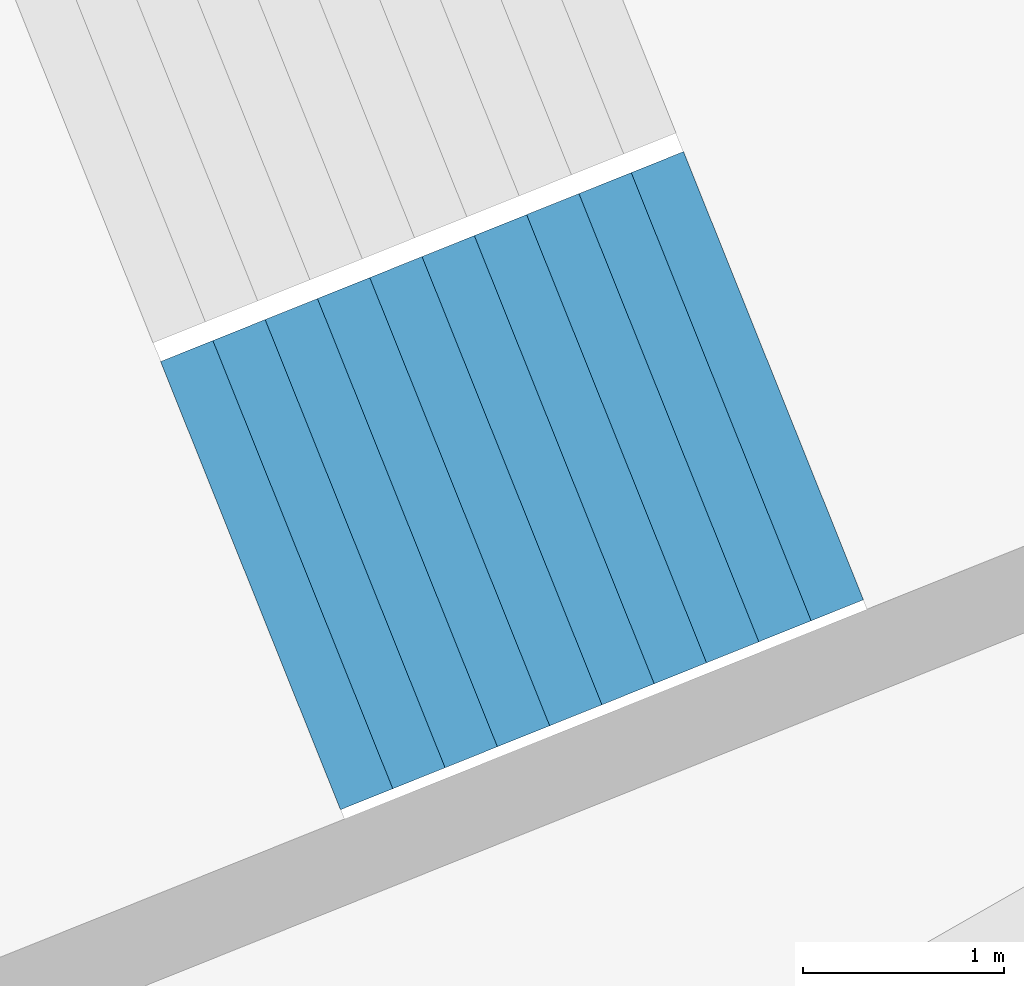
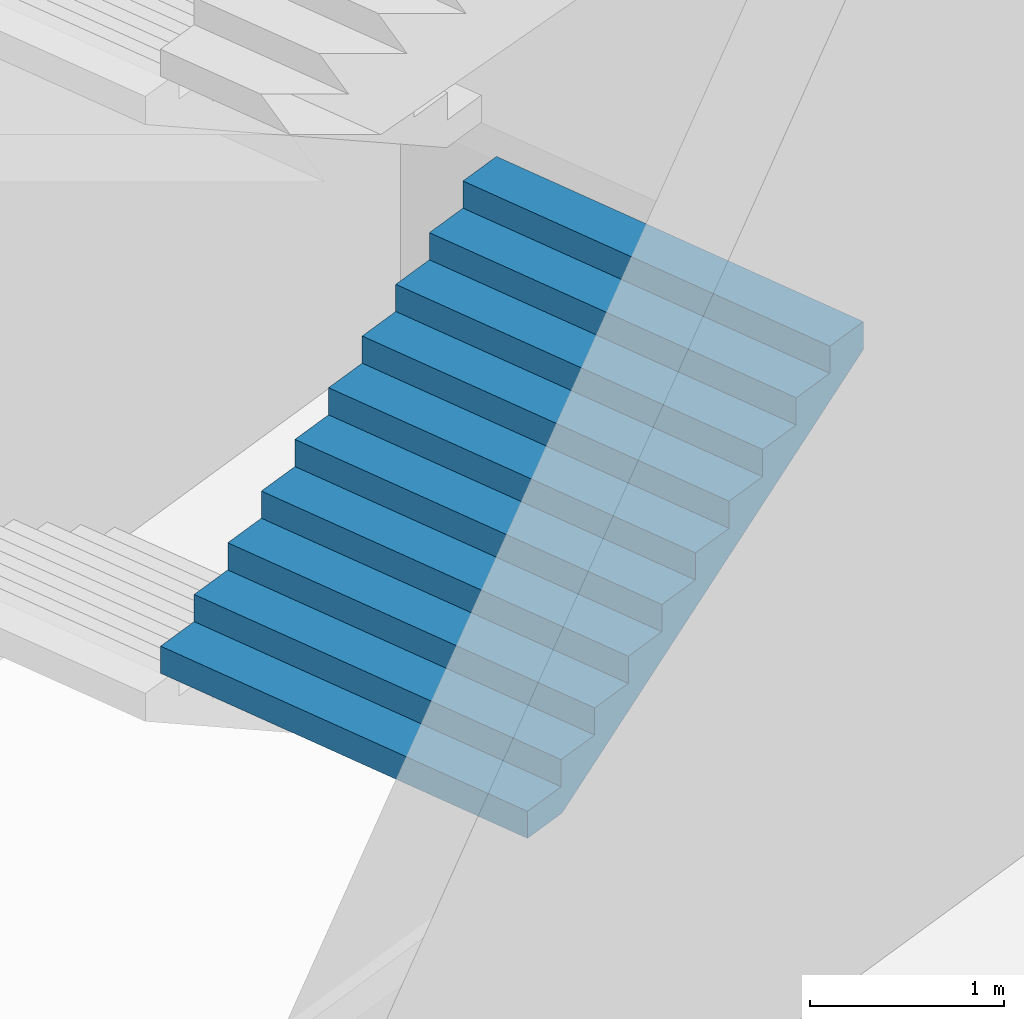
# One storey, part 18 of 73: 1 stair flight, 1 element without a shape of its own.
"""IFC4 building model written with IfcOpenShell, lengths in metres."""

from ifc_helpers import new_model, si_unit, direction, frame, origin, place, context, subcontext, project, spatial, triangles, material, type_object, element, aggregate, save


model = new_model("IFC4")

# Units and contexts
model_context = context("Model", 3, precision=1e-05, world=origin(), true_north=direction((0.0, 1.0)))
body_context = subcontext(model_context, "Body", "Model", "MODEL_VIEW")
ifc_project = project(units=[si_unit("LENGTHUNIT", "METRE"), si_unit("AREAUNIT", "SQUARE_METRE"), si_unit("VOLUMEUNIT", "CUBIC_METRE"), si_unit("PLANEANGLEUNIT", "RADIAN"), si_unit("MASSUNIT", "GRAM", prefix="KILO")], contexts=[model_context])

# Site, building, storey
site_placement = place(None, origin())
site = spatial("IfcSite", under=ifc_project, at=site_placement, CompositionType="ELEMENT")
building_placement = place(site_placement, origin())
building = spatial("IfcBuilding", under=site, at=building_placement, Name="Lantaw Convention Tower", CompositionType="ELEMENT")
storey_placement = place(building_placement, frame((0.0, 0.0, 14.5)))
storey = spatial("IfcBuildingStorey", under=building, at=storey_placement, Name="L02", CompositionType="ELEMENT", Elevation=14.5)

# Stair, stair flight
ifc_material = material(Name="Concrete C35/45", Category="concrete")
stair_type = type_object("IfcStairType", Name="Exit stair 2400 riser 170.45 in 4 flights", PredefinedType="HALF_TURN_STAIR", material=ifc_material)
stair_placement = place(storey_placement, origin())
stair = element("IfcStair", 1, at=stair_placement, inside=storey, type_object=stair_type, Name="Podium exit stair P11 L02", PredefinedType="HALF_TURN_STAIR")
stair_flight_type = type_object("IfcStairFlightType", Name="Stair flight 2400 riser 170.45", PredefinedType="STRAIGHT", material=ifc_material)
stair_flight_placement = place(storey_placement, frame((-31.684814453125, -14.06640625, 1.875), z_axis=(0.0, 0.0, 1.0), x_axis=(0.928015168305, 0.372542410198, 0.0)))
stair_flight = element("IfcStairFlight", 2, at=stair_flight_placement, type_object=stair_flight_type, Name="P11 flight 2", NumberOfRisers=11, NumberOfTreads=10, PredefinedType="STRAIGHT", RiserHeight=0.170454545, TreadLength=0.28, context=body_context, shape_type="Tessellation", body=[
    triangles([(0.0, 1.199951171875, 0.0), (0.0, 1.199951171875, 0.170454545), (0.28, 1.199951171875, 0.0), (0.28, 1.199951171875, 0.170454545), (0.28, 1.199951171875, 0.34090909), (0.28827876332691904, 1.199951171875, 0.0), (0.28827876332691904, 1.199951171875, 0.34090909), (0.56, 1.199951171875, 0.16541471344266906), (0.56, 1.199951171875, 0.34090909), (0.56, 1.199951171875, 0.511363635), (0.8400000000000001, 1.199951171875, 0.335869258442669), (0.8400000000000001, 1.199951171875, 0.511363635), (0.8400000000000001, 1.199951171875, 0.68181818), (1.12, 1.199951171875, 0.506323803442669), (1.12, 1.199951171875, 0.68181818), (1.12, 1.199951171875, 0.8522727250000001), (1.4000000000000001, 1.199951171875, 0.676778348442669), (1.4000000000000001, 1.199951171875, 0.8522727250000001), (1.4000000000000001, 1.199951171875, 1.02272727), (1.6800000000000002, 1.199951171875, 0.847232893442669), (1.6800000000000002, 1.199951171875, 1.02272727), (1.6800000000000002, 1.199951171875, 1.193181815), (1.9600000000000002, 1.199951171875, 1.017687438442669), (1.9600000000000002, 1.199951171875, 1.193181815), (1.9600000000000002, 1.199951171875, 1.36363636), (2.24, 1.199951171875, 1.188141983442669), (2.24, 1.199951171875, 1.36363636), (2.24, 1.199951171875, 1.5340909050000002), (2.5200000000000005, 1.199951171875, 1.358596528442669), (2.5200000000000005, 1.199951171875, 1.5340909050000002), (2.5200000000000005, 1.199951171875, 1.7045454500000001), (2.8000000000000003, 1.199951171875, 1.529051073442669), (2.8000000000000003, 1.199951171875, 1.7045454500000001), (0.0, -1.199951171875, 0.0), (0.0, -1.199951171875, 0.170454545), (0.28, -1.199951171875, 0.0), (0.28, -1.199951171875, 0.170454545), (0.28, -1.199951171875, 0.34090909), (0.28827876332691904, -1.199951171875, 0.0), (0.28827876332691904, -1.199951171875, 0.34090909), (0.56, -1.199951171875, 0.16541471344266906), (0.56, -1.199951171875, 0.34090909), (0.56, -1.199951171875, 0.511363635), (0.8400000000000001, -1.199951171875, 0.335869258442669), (0.8400000000000001, -1.199951171875, 0.511363635), (0.8400000000000001, -1.199951171875, 0.68181818), (1.12, -1.199951171875, 0.506323803442669), (1.12, -1.199951171875, 0.68181818), (1.12, -1.199951171875, 0.8522727250000001), (1.4000000000000001, -1.199951171875, 0.676778348442669), (1.4000000000000001, -1.199951171875, 0.8522727250000001), (1.4000000000000001, -1.199951171875, 1.02272727), (1.6800000000000002, -1.199951171875, 0.847232893442669), (1.6800000000000002, -1.199951171875, 1.02272727), (1.6800000000000002, -1.199951171875, 1.193181815), (1.9600000000000002, -1.199951171875, 1.017687438442669), (1.9600000000000002, -1.199951171875, 1.193181815), (1.9600000000000002, -1.199951171875, 1.36363636), (2.24, -1.199951171875, 1.188141983442669), (2.24, -1.199951171875, 1.36363636), (2.24, -1.199951171875, 1.5340909050000002), (2.5200000000000005, -1.199951171875, 1.358596528442669), (2.5200000000000005, -1.199951171875, 1.5340909050000002), (2.5200000000000005, -1.199951171875, 1.7045454500000001), (2.8000000000000003, -1.199951171875, 1.529051073442669), (2.8000000000000003, -1.199951171875, 1.7045454500000001), (0.0, 0.239990234375, 0.170454545), (0.0, 0.239990234375, 0.0), (0.0, 0.1199951171875, 0.170454545), (0.0, 0.1199951171875, 0.0), (0.0, 0.0, 0.170454545), (0.0, 0.0, 0.0), (0.0, -0.1199951171875, 0.170454545), (0.0, -0.1199951171875, 0.0), (0.0, -0.239990234375, 0.170454545), (0.0, -0.239990234375, 0.0), (0.28, 0.239990234375, 0.34090909), (0.28, 0.239990234375, 0.170454545), (0.28, 0.1199951171875, 0.34090909), (0.28, 0.1199951171875, 0.170454545), (0.28, 0.0, 0.34090909), (0.28, 0.0, 0.170454545), (0.28, -0.1199951171875, 0.34090909), (0.28, -0.1199951171875, 0.170454545), (0.28, -0.239990234375, 0.34090909), (0.28, -0.239990234375, 0.170454545), (0.56, 0.239990234375, 0.511363635), (0.56, 0.239990234375, 0.34090909), (0.56, 0.1199951171875, 0.511363635), (0.56, 0.1199951171875, 0.34090909), (0.56, 0.0, 0.511363635), (0.56, 0.0, 0.34090909), (0.56, -0.1199951171875, 0.511363635), (0.56, -0.1199951171875, 0.34090909), (0.56, -0.239990234375, 0.511363635), (0.56, -0.239990234375, 0.34090909), (0.8400000000000001, 0.239990234375, 0.68181818), (0.8400000000000001, 0.239990234375, 0.511363635), (0.8400000000000001, 0.1199951171875, 0.68181818), (0.8400000000000001, 0.1199951171875, 0.511363635), (0.8400000000000001, 0.0, 0.68181818), (0.8400000000000001, 0.0, 0.511363635), (0.8400000000000001, -0.1199951171875, 0.68181818), (0.8400000000000001, -0.1199951171875, 0.511363635), (0.8400000000000001, -0.239990234375, 0.68181818), (0.8400000000000001, -0.239990234375, 0.511363635), (1.12, 0.239990234375, 0.8522727250000001), (1.12, 0.239990234375, 0.68181818), (1.12, 0.1199951171875, 0.8522727250000001), (1.12, 0.1199951171875, 0.68181818), (1.12, 0.0, 0.8522727250000001), (1.12, 0.0, 0.68181818), (1.12, -0.1199951171875, 0.8522727250000001), (1.12, -0.1199951171875, 0.68181818), (1.12, -0.239990234375, 0.8522727250000001), (1.12, -0.239990234375, 0.68181818), (1.4000000000000001, 0.239990234375, 1.02272727), (1.4000000000000001, 0.239990234375, 0.8522727250000001), (1.4000000000000001, 0.1199951171875, 1.02272727), (1.4000000000000001, 0.1199951171875, 0.8522727250000001), (1.4000000000000001, 0.0, 1.02272727), (1.4000000000000001, 0.0, 0.8522727250000001), (1.4000000000000001, -0.1199951171875, 1.02272727), (1.4000000000000001, -0.1199951171875, 0.8522727250000001), (1.4000000000000001, -0.239990234375, 1.02272727), (1.4000000000000001, -0.239990234375, 0.8522727250000001), (1.6800000000000002, 0.239990234375, 1.193181815), (1.6800000000000002, 0.239990234375, 1.02272727), (1.6800000000000002, 0.1199951171875, 1.193181815), (1.6800000000000002, 0.1199951171875, 1.02272727), (1.6800000000000002, 0.0, 1.193181815), (1.6800000000000002, 0.0, 1.02272727), (1.6800000000000002, -0.1199951171875, 1.193181815), (1.6800000000000002, -0.1199951171875, 1.02272727), (1.6800000000000002, -0.239990234375, 1.193181815), (1.6800000000000002, -0.239990234375, 1.02272727), (1.9600000000000002, 0.239990234375, 1.36363636), (1.9600000000000002, 0.239990234375, 1.193181815), (1.9600000000000002, 0.1199951171875, 1.36363636), (1.9600000000000002, 0.1199951171875, 1.193181815), (1.9600000000000002, 0.0, 1.36363636), (1.9600000000000002, 0.0, 1.193181815), (1.9600000000000002, -0.1199951171875, 1.36363636), (1.9600000000000002, -0.1199951171875, 1.193181815), (1.9600000000000002, -0.239990234375, 1.36363636), (1.9600000000000002, -0.239990234375, 1.193181815), (2.24, 0.239990234375, 1.5340909050000002), (2.24, 0.239990234375, 1.36363636), (2.24, 0.1199951171875, 1.5340909050000002), (2.24, 0.1199951171875, 1.36363636), (2.24, 0.0, 1.5340909050000002), (2.24, 0.0, 1.36363636), (2.24, -0.1199951171875, 1.5340909050000002), (2.24, -0.1199951171875, 1.36363636), (2.24, -0.239990234375, 1.5340909050000002), (2.24, -0.239990234375, 1.36363636), (2.5200000000000005, 0.239990234375, 1.7045454500000001), (2.5200000000000005, 0.239990234375, 1.5340909050000002), (2.5200000000000005, 0.1199951171875, 1.7045454500000001), (2.5200000000000005, 0.1199951171875, 1.5340909050000002), (2.5200000000000005, 0.0, 1.7045454500000001), (2.5200000000000005, 0.0, 1.5340909050000002), (2.5200000000000005, -0.1199951171875, 1.7045454500000001), (2.5200000000000005, -0.1199951171875, 1.5340909050000002), (2.5200000000000005, -0.239990234375, 1.7045454500000001), (2.5200000000000005, -0.239990234375, 1.5340909050000002), (0.28827876332691904, 0.239990234375, 0.34090909), (0.28827876332691904, 0.1199951171875, 0.34090909), (0.28827876332691904, 0.0, 0.34090909), (0.28827876332691904, -0.1199951171875, 0.34090909), (0.28827876332691904, -0.239990234375, 0.34090909), (2.8000000000000003, 0.239990234375, 1.7045454500000001), (2.8000000000000003, 0.1199951171875, 1.7045454500000001), (2.8000000000000003, 0.0, 1.7045454500000001), (2.8000000000000003, -0.1199951171875, 1.7045454500000001), (2.8000000000000003, -0.239990234375, 1.7045454500000001), (2.8000000000000003, 0.239990234375, 1.5290510734426692), (2.8000000000000003, 0.1199951171875, 1.5290510734426692), (2.8000000000000003, 0.0, 1.5290510734426692), (2.8000000000000003, -0.1199951171875, 1.5290510734426692), (2.8000000000000003, -0.239990234375, 1.5290510734426692), (2.5200000000000005, 0.239990234375, 1.358596528442669), (2.5200000000000005, 0.1199951171875, 1.358596528442669), (2.5200000000000005, 0.0, 1.358596528442669), (2.5200000000000005, -0.1199951171875, 1.358596528442669), (2.5200000000000005, -0.239990234375, 1.358596528442669), (2.24, 0.239990234375, 1.188141983442669), (2.24, 0.1199951171875, 1.188141983442669), (2.24, 0.0, 1.188141983442669), (2.24, -0.1199951171875, 1.188141983442669), (2.24, -0.239990234375, 1.188141983442669), (1.9600000000000002, 0.239990234375, 1.017687438442669), (1.9600000000000002, 0.1199951171875, 1.017687438442669), (1.9600000000000002, 0.0, 1.017687438442669), (1.9600000000000002, -0.1199951171875, 1.017687438442669), (1.9600000000000002, -0.239990234375, 1.017687438442669), (1.6800000000000002, 0.239990234375, 0.847232893442669), (1.6800000000000002, 0.1199951171875, 0.847232893442669), (1.6800000000000002, 0.0, 0.847232893442669), (1.6800000000000002, -0.1199951171875, 0.847232893442669), (1.6800000000000002, -0.239990234375, 0.847232893442669), (1.4000000000000001, 0.239990234375, 0.676778348442669), (1.4000000000000001, 0.1199951171875, 0.676778348442669), (1.4000000000000001, 0.0, 0.676778348442669), (1.4000000000000001, -0.1199951171875, 0.676778348442669), (1.4000000000000001, -0.239990234375, 0.676778348442669), (1.12, 0.239990234375, 0.506323803442669), (1.12, 0.1199951171875, 0.506323803442669), (1.12, 0.0, 0.506323803442669), (1.12, -0.1199951171875, 0.506323803442669), (1.12, -0.239990234375, 0.506323803442669), (0.8400000000000001, 0.239990234375, 0.335869258442669), (0.8400000000000001, 0.1199951171875, 0.335869258442669), (0.8400000000000001, 0.0, 0.335869258442669), (0.8400000000000001, -0.1199951171875, 0.335869258442669), (0.8400000000000001, -0.239990234375, 0.335869258442669), (0.56, 0.239990234375, 0.16541471344266906), (0.56, 0.1199951171875, 0.16541471344266906), (0.56, 0.0, 0.16541471344266906), (0.56, -0.1199951171875, 0.16541471344266906), (0.56, -0.239990234375, 0.16541471344266906), (0.28827876332691904, 0.239990234375, 0.0), (0.28827876332691904, 0.1199951171875, 0.0), (0.28827876332691904, 0.0, 0.0), (0.28827876332691904, -0.1199951171875, 0.0), (0.28827876332691904, -0.239990234375, 0.0), (0.28, 0.239990234375, 0.0), (0.28, 0.1199951171875, 0.0), (0.28, 0.0, 0.0), (0.28, -0.1199951171875, 0.0), (0.28, -0.239990234375, 0.0)], [[1, 4, 3], [1, 2, 4], [3, 4, 6], [4, 7, 6], [4, 5, 7], [6, 9, 8], [6, 7, 9], [8, 9, 11], [9, 12, 11], [9, 10, 12], [11, 12, 14], [12, 15, 14], [12, 13, 15], [14, 15, 17], [15, 18, 17], [15, 16, 18], [17, 18, 20], [18, 21, 20], [18, 19, 21], [20, 21, 23], [21, 24, 23], [21, 22, 24], [23, 24, 26], [24, 27, 26], [24, 25, 27], [26, 27, 29], [27, 30, 29], [27, 28, 30], [29, 30, 32], [30, 33, 32], [30, 31, 33], [34, 36, 37], [34, 37, 35], [36, 39, 37], [37, 39, 40], [37, 40, 38], [39, 41, 42], [39, 42, 40], [41, 44, 42], [42, 44, 45], [42, 45, 43], [44, 47, 45], [45, 47, 48], [45, 48, 46], [47, 50, 48], [48, 50, 51], [48, 51, 49], [50, 53, 51], [51, 53, 54], [51, 54, 52], [53, 56, 54], [54, 56, 57], [54, 57, 55], [56, 59, 57], [57, 59, 60], [57, 60, 58], [59, 62, 60], [60, 62, 63], [60, 63, 61], [62, 65, 63], [63, 65, 66], [63, 66, 64], [1, 67, 2], [1, 68, 67], [68, 69, 67], [68, 70, 69], [70, 71, 69], [70, 72, 71], [72, 73, 71], [72, 74, 73], [74, 75, 73], [74, 76, 75], [76, 35, 75], [76, 34, 35], [4, 77, 5], [4, 78, 77], [78, 79, 77], [78, 80, 79], [80, 81, 79], [80, 82, 81], [82, 83, 81], [82, 84, 83], [84, 85, 83], [84, 86, 85], [86, 38, 85], [86, 37, 38], [9, 87, 10], [9, 88, 87], [88, 89, 87], [88, 90, 89], [90, 91, 89], [90, 92, 91], [92, 93, 91], [92, 94, 93], [94, 95, 93], [94, 96, 95], [96, 43, 95], [96, 42, 43], [12, 97, 13], [12, 98, 97], [98, 99, 97], [98, 100, 99], [100, 101, 99], [100, 102, 101], [102, 103, 101], [102, 104, 103], [104, 105, 103], [104, 106, 105], [106, 46, 105], [106, 45, 46], [15, 107, 16], [15, 108, 107], [108, 109, 107], [108, 110, 109], [110, 111, 109], [110, 112, 111], [112, 113, 111], [112, 114, 113], [114, 115, 113], [114, 116, 115], [116, 49, 115], [116, 48, 49], [18, 117, 19], [18, 118, 117], [118, 119, 117], [118, 120, 119], [120, 121, 119], [120, 122, 121], [122, 123, 121], [122, 124, 123], [124, 125, 123], [124, 126, 125], [126, 52, 125], [126, 51, 52], [21, 127, 22], [21, 128, 127], [128, 129, 127], [128, 130, 129], [130, 131, 129], [130, 132, 131], [132, 133, 131], [132, 134, 133], [134, 135, 133], [134, 136, 135], [136, 55, 135], [136, 54, 55], [24, 137, 25], [24, 138, 137], [138, 139, 137], [138, 140, 139], [140, 141, 139], [140, 142, 141], [142, 143, 141], [142, 144, 143], [144, 145, 143], [144, 146, 145], [146, 58, 145], [146, 57, 58], [27, 147, 28], [27, 148, 147], [148, 149, 147], [148, 150, 149], [150, 151, 149], [150, 152, 151], [152, 153, 151], [152, 154, 153], [154, 155, 153], [154, 156, 155], [156, 61, 155], [156, 60, 61], [30, 157, 31], [30, 158, 157], [158, 159, 157], [158, 160, 159], [160, 161, 159], [160, 162, 161], [162, 163, 161], [162, 164, 163], [164, 165, 163], [164, 166, 165], [166, 64, 165], [166, 63, 64], [2, 78, 4], [2, 67, 78], [67, 80, 78], [67, 69, 80], [69, 82, 80], [69, 71, 82], [71, 84, 82], [71, 73, 84], [73, 86, 84], [73, 75, 86], [75, 37, 86], [75, 35, 37], [5, 167, 7], [5, 77, 167], [77, 168, 167], [77, 79, 168], [79, 169, 168], [79, 81, 169], [81, 170, 169], [81, 83, 170], [83, 171, 170], [83, 85, 171], [85, 40, 171], [85, 38, 40], [7, 88, 9], [7, 167, 88], [167, 90, 88], [167, 168, 90], [168, 92, 90], [168, 169, 92], [169, 94, 92], [169, 170, 94], [170, 96, 94], [170, 171, 96], [171, 42, 96], [171, 40, 42], [10, 98, 12], [10, 87, 98], [87, 100, 98], [87, 89, 100], [89, 102, 100], [89, 91, 102], [91, 104, 102], [91, 93, 104], [93, 106, 104], [93, 95, 106], [95, 45, 106], [95, 43, 45], [13, 108, 15], [13, 97, 108], [97, 110, 108], [97, 99, 110], [99, 112, 110], [99, 101, 112], [101, 114, 112], [101, 103, 114], [103, 116, 114], [103, 105, 116], [105, 48, 116], [105, 46, 48], [16, 118, 18], [16, 107, 118], [107, 120, 118], [107, 109, 120], [109, 122, 120], [109, 111, 122], [111, 124, 122], [111, 113, 124], [113, 126, 124], [113, 115, 126], [115, 51, 126], [115, 49, 51], [19, 128, 21], [19, 117, 128], [117, 130, 128], [117, 119, 130], [119, 132, 130], [119, 121, 132], [121, 134, 132], [121, 123, 134], [123, 136, 134], [123, 125, 136], [125, 54, 136], [125, 52, 54], [22, 138, 24], [22, 127, 138], [127, 140, 138], [127, 129, 140], [129, 142, 140], [129, 131, 142], [131, 144, 142], [131, 133, 144], [133, 146, 144], [133, 135, 146], [135, 57, 146], [135, 55, 57], [25, 148, 27], [25, 137, 148], [137, 150, 148], [137, 139, 150], [139, 152, 150], [139, 141, 152], [141, 154, 152], [141, 143, 154], [143, 156, 154], [143, 145, 156], [145, 60, 156], [145, 58, 60], [28, 158, 30], [28, 147, 158], [147, 160, 158], [147, 149, 160], [149, 162, 160], [149, 151, 162], [151, 164, 162], [151, 153, 164], [153, 166, 164], [153, 155, 166], [155, 63, 166], [155, 61, 63], [31, 172, 33], [31, 157, 172], [157, 173, 172], [157, 159, 173], [159, 174, 173], [159, 161, 174], [161, 175, 174], [161, 163, 175], [163, 176, 175], [163, 165, 176], [165, 66, 176], [165, 64, 66], [33, 177, 32], [33, 172, 177], [172, 178, 177], [172, 173, 178], [173, 179, 178], [173, 174, 179], [174, 180, 179], [174, 175, 180], [175, 181, 180], [175, 176, 181], [176, 65, 181], [176, 66, 65], [32, 182, 29], [32, 177, 182], [177, 183, 182], [177, 178, 183], [178, 184, 183], [178, 179, 184], [179, 185, 184], [179, 180, 185], [180, 186, 185], [180, 181, 186], [181, 62, 186], [181, 65, 62], [29, 187, 26], [29, 182, 187], [182, 188, 187], [182, 183, 188], [183, 189, 188], [183, 184, 189], [184, 190, 189], [184, 185, 190], [185, 191, 190], [185, 186, 191], [186, 59, 191], [186, 62, 59], [26, 192, 23], [26, 187, 192], [187, 193, 192], [187, 188, 193], [188, 194, 193], [188, 189, 194], [189, 195, 194], [189, 190, 195], [190, 196, 195], [190, 191, 196], [191, 56, 196], [191, 59, 56], [23, 197, 20], [23, 192, 197], [192, 198, 197], [192, 193, 198], [193, 199, 198], [193, 194, 199], [194, 200, 199], [194, 195, 200], [195, 201, 200], [195, 196, 201], [196, 53, 201], [196, 56, 53], [20, 202, 17], [20, 197, 202], [197, 203, 202], [197, 198, 203], [198, 204, 203], [198, 199, 204], [199, 205, 204], [199, 200, 205], [200, 206, 205], [200, 201, 206], [201, 50, 206], [201, 53, 50], [17, 207, 14], [17, 202, 207], [202, 208, 207], [202, 203, 208], [203, 209, 208], [203, 204, 209], [204, 210, 209], [204, 205, 210], [205, 211, 210], [205, 206, 211], [206, 47, 211], [206, 50, 47], [14, 212, 11], [14, 207, 212], [207, 213, 212], [207, 208, 213], [208, 214, 213], [208, 209, 214], [209, 215, 214], [209, 210, 215], [210, 216, 215], [210, 211, 216], [211, 44, 216], [211, 47, 44], [11, 217, 8], [11, 212, 217], [212, 218, 217], [212, 213, 218], [213, 219, 218], [213, 214, 219], [214, 220, 219], [214, 215, 220], [215, 221, 220], [215, 216, 221], [216, 41, 221], [216, 44, 41], [8, 222, 6], [8, 217, 222], [217, 223, 222], [217, 218, 223], [218, 224, 223], [218, 219, 224], [219, 225, 224], [219, 220, 225], [220, 226, 225], [220, 221, 226], [221, 39, 226], [221, 41, 39], [6, 227, 3], [6, 222, 227], [222, 228, 227], [222, 223, 228], [223, 229, 228], [223, 224, 229], [224, 230, 229], [224, 225, 230], [225, 231, 230], [225, 226, 231], [226, 36, 231], [226, 39, 36], [3, 68, 1], [3, 227, 68], [227, 70, 68], [227, 228, 70], [228, 72, 70], [228, 229, 72], [229, 74, 72], [229, 230, 74], [230, 76, 74], [230, 231, 76], [231, 34, 76], [231, 36, 34]], closed=True),
])
aggregate(stair, [stair_flight])

save(model, "model.ifc")
